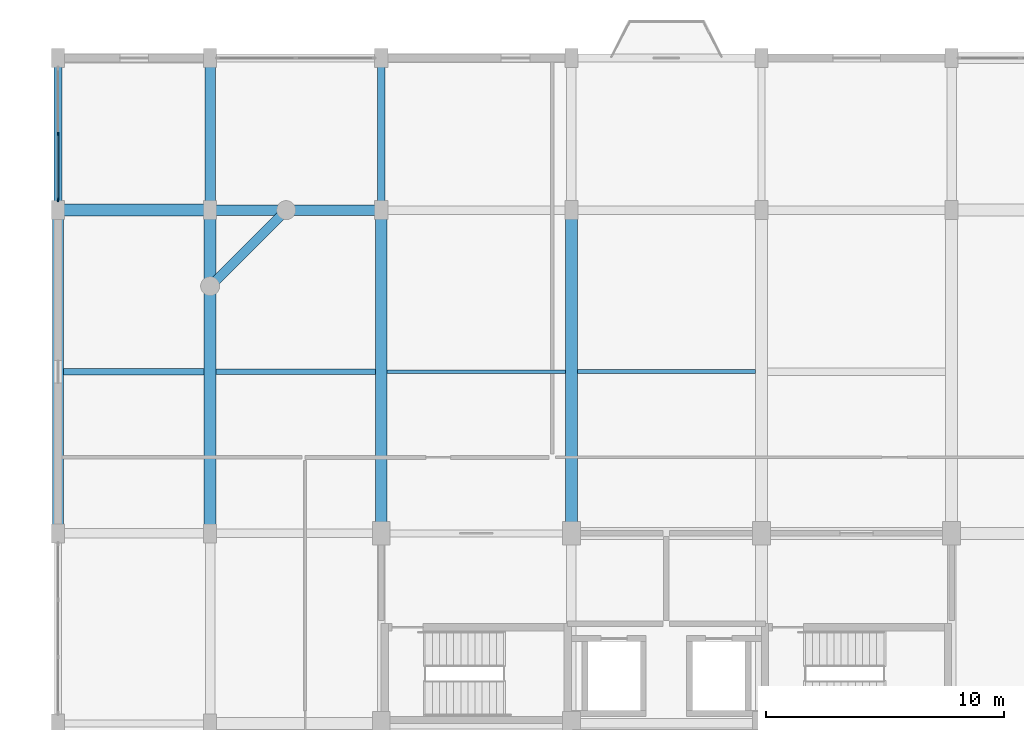
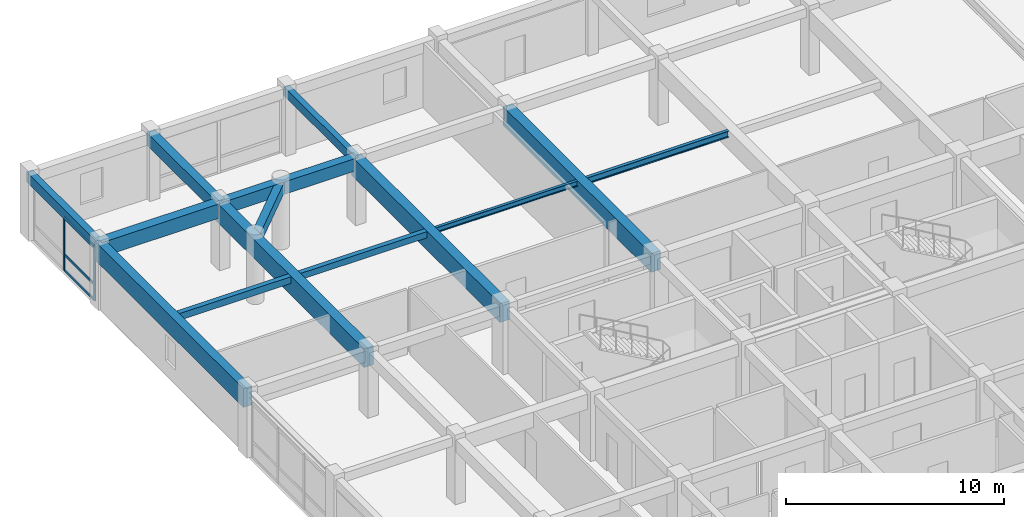
# One storey, part 6 of 15: 14 beams, 5 members, 1 element without a shape of its own.
"""IFC4 building model written with IfcOpenShell, lengths in metres."""

from ifc_helpers import new_model, si_unit, direction, frame, origin, origin_2d, place, context, subcontext, project, spatial, rectangle, i_section, extrude, material, material_profile, profile_set, type_object, element, aggregate, save


model = new_model("IFC4")

# Units and contexts
model_context = context("Model", 3, precision=1e-05, world=origin(), true_north=direction((0.0, 1.0)))
body_context = subcontext(model_context, "Body", "Model", "MODEL_VIEW")
ifc_project = project(units=[si_unit("LENGTHUNIT", "METRE"), si_unit("AREAUNIT", "SQUARE_METRE"), si_unit("VOLUMEUNIT", "CUBIC_METRE"), si_unit("PLANEANGLEUNIT", "RADIAN"), si_unit("MASSUNIT", "GRAM", prefix="KILO")], contexts=[model_context])

# Site, building, storey
site_placement = place(None, origin())
site = spatial("IfcSite", under=ifc_project, at=site_placement, CompositionType="ELEMENT")
building_placement = place(site_placement, origin())
building = spatial("IfcBuilding", under=site, at=building_placement, Name="Vellmiral Cinema and Media Centre", CompositionType="ELEMENT")
storey_placement = place(building_placement, frame((0.0, 0.0, 31.699951171875)))
storey = spatial("IfcBuildingStorey", under=building, at=storey_placement, Name="L07", CompositionType="ELEMENT", Elevation=31.699951171875)

# Beams
ifc_material_1 = material(Name="Concrete C40/50", Category="concrete")
ifc_material_profile_1 = material_profile(ifc_material_1, rectangle(XDim=0.300048828125, YDim=0.5, at=origin_2d()), Name="RC 300x500")
ifc_profile_set_1 = profile_set([ifc_material_profile_1], Name="Concrete C40/50")
beam_type_1 = type_object("IfcBeamType", Name="BM-RC-300x500", PredefinedType="BEAM", material=ifc_profile_set_1)
beam_1_placement = place(storey_placement, frame((124.0, 108.800048828125, 3.385009765625), z_axis=(0.0, 1.0, 0.0), x_axis=(-1.0, 0.0, 0.0)))
element("IfcBeam", 1, at=beam_1_placement, inside=storey, type_object=beam_type_1, Name="Grid Beam L07-Y066", PredefinedType="BEAM", context=body_context, shape_type="SweptSolid", body=[
    extrude(rectangle(XDim=0.300048828125, YDim=0.5, at=origin_2d()), origin(), (0.0, 0.0, 1.0), 6.39990234375),
])
ifc_material_2 = material(Name="Concrete C40/50", Category="concrete")
ifc_material_profile_2 = material_profile(ifc_material_2, rectangle(XDim=0.449951171875, YDim=0.699951171875, at=origin_2d()), Name="RC 450x700")
ifc_profile_set_2 = profile_set([ifc_material_profile_2], Name="Concrete C40/50")
beam_type_2 = type_object("IfcBeamType", Name="BM-RC-450x700", PredefinedType="BEAM", material=ifc_profile_set_2)
beam_2_placement = place(storey_placement, frame((116.800048828125, 108.800048828125, 3.28515625), z_axis=(1.0, 0.0, 0.0), x_axis=(0.0, 1.0, 0.0)))
element("IfcBeam", 2, at=beam_2_placement, inside=storey, type_object=beam_type_2, Name="Grid Beam L07-X037", PredefinedType="BEAM", context=body_context, shape_type="SweptSolid", body=[
    extrude(rectangle(XDim=0.449951171875, YDim=0.699951171875, at=origin_2d()), origin(), (0.0, 0.0, 1.0), 7.199951171875),
])
beam_3_placement = place(storey_placement, frame((116.800048828125, 108.800048828125, 3.28515625), z_axis=(0.0, 1.0, 0.0), x_axis=(-1.0, 0.0, 0.0)))
element("IfcBeam", 3, at=beam_3_placement, inside=storey, type_object=beam_type_2, Name="Grid Beam L07-Y060", PredefinedType="BEAM", context=body_context, shape_type="SweptSolid", body=[
    extrude(rectangle(XDim=0.449951171875, YDim=0.699951171875, at=origin_2d()), origin(), (0.0, 0.0, 1.0), 6.39990234375),
])
ifc_material_3 = material(Name="Concrete C40/50", Category="concrete")
ifc_material_profile_3 = material_profile(ifc_material_3, rectangle(XDim=0.5, YDim=0.800048828125, at=origin_2d()), Name="RC 500x800")
ifc_profile_set_3 = profile_set([ifc_material_profile_3], Name="Concrete C40/50")
beam_type_3 = type_object("IfcBeamType", Name="BM-RC-500x800", PredefinedType="BEAM", material=ifc_profile_set_3)
beam_4_placement = place(storey_placement, frame((110.39990234375, 108.800048828125, 3.235107421875), z_axis=(1.0, 0.0, 0.0), x_axis=(0.0, 1.0, 0.0)))
element("IfcBeam", 4, at=beam_4_placement, inside=storey, type_object=beam_type_3, Name="Grid Beam L07-X036", PredefinedType="BEAM", context=body_context, shape_type="SweptSolid", body=[
    extrude(rectangle(XDim=0.5, YDim=0.800048828125, at=origin_2d()), origin(), (0.0, 0.0, 1.0), 6.400146484375),
])
ifc_material_4 = material(Name="Concrete C40/50", Category="concrete")
ifc_material_profile_4 = material_profile(ifc_material_4, rectangle(XDim=0.5, YDim=1.050048828125, at=origin_2d()), Name="RC 500x1050")
ifc_profile_set_4 = profile_set([ifc_material_profile_4], Name="Concrete C40/50")
beam_type_4 = type_object("IfcBeamType", Name="BM-RCG-500x1050", PredefinedType="BEAM", material=ifc_profile_set_4)
for number, where, z_axis, x_axis, name in (
    (5, (116.800048828125, 95.199951171875, 3.110107421875), (0.0, 1.0, 0.0), (-1.0, 0.0, 0.0), "Grid Beam L07-Y059"),
    (6, (124.0, 95.199951171875, 3.110107421875), (0.0, 1.0, 0.0), (-1.0, 0.0, 0.0), "Grid Beam L07-Y065"),
    (7, (132.0, 95.199951171875, 3.110107421875), (0.0, 1.0, 0.0), (-1.0, 0.0, 0.0), "Grid Beam L07-Y071"),
):
    element("IfcBeam", number, at=place(storey_placement, frame(where, z_axis=z_axis, x_axis=x_axis)), inside=storey, type_object=beam_type_4, Name=name, PredefinedType="BEAM", context=body_context, shape_type="SweptSolid", body=[
        extrude(rectangle(XDim=0.5, YDim=1.050048828125, at=origin_2d()), origin(), (0.0, 0.0, 1.0), 13.60009765625),
    ])

# Curtain wall, members
ifc_material_5 = material(Name="Thermally Broken Aluminium and Triple Glazing", Category="aluminium")
curtain_wall_type = type_object("IfcCurtainWallType", Name="CW-TOWER-LOW-N", PredefinedType="USERDEFINED", material=ifc_material_5)
curtain_wall_placement = place(storey_placement, origin())
curtain_wall = element("IfcCurtainWall", 8, at=curtain_wall_placement, inside=storey, type_object=curtain_wall_type, Name="Curtain Wall L07-B024", ObjectType="UNITISED CURTAIN WALL", PredefinedType="USERDEFINED")
ifc_material_6 = material(Name="Thermally Broken Anodised Aluminium", Category="aluminium")
ifc_material_profile_5 = material_profile(ifc_material_6, rectangle(XDim=0.06494140625, YDim=0.159912109375, at=origin_2d()), Name="MULL 65x160")
ifc_profile_set_5 = profile_set([ifc_material_profile_5], Name="Thermally Broken Anodised Aluminium")
member_type_1 = type_object("IfcMemberType", Name="CWM-65x160", PredefinedType="MULLION", material=ifc_profile_set_5)
member_1_placement = place(storey_placement, frame((110.39990234375, 112.0, 0.0), z_axis=(0.0, 0.0, 1.0), x_axis=(1.0, 0.0, 0.0)))
member_1 = element("IfcMember", 9, at=member_1_placement, type_object=member_type_1, Name="CW-05 mullion 2", PredefinedType="MULLION", context=body_context, shape_type="SweptSolid", body=[
    extrude(rectangle(XDim=0.06494140625, YDim=0.159912109375, at=origin_2d()), origin(), (0.0, 0.0, 1.0), 3.0400390625),
])
member_2_placement = place(storey_placement, frame((110.39990234375, 109.232421875, 0.0), z_axis=(0.0, 0.0, 1.0), x_axis=(1.0, 0.0, 0.0)))
member_2 = element("IfcMember", 10, at=member_2_placement, type_object=member_type_1, Name="CW-05 mullion 3", PredefinedType="MULLION", context=body_context, shape_type="SweptSolid", body=[
    extrude(rectangle(XDim=0.06494140625, YDim=0.159912109375, at=origin_2d()), origin(), (0.0, 0.0, 1.0), 3.0400390625),
])
ifc_material_7 = material(Name="Thermally Broken Anodised Aluminium", Category="aluminium")
ifc_material_profile_6 = material_profile(ifc_material_7, rectangle(XDim=0.06494140625, YDim=0.135009765625, at=origin_2d()), Name="MULL 65x135")
ifc_profile_set_6 = profile_set([ifc_material_profile_6], Name="Thermally Broken Anodised Aluminium")
member_type_2 = type_object("IfcMemberType", Name="CWT-65x135", PredefinedType="USERDEFINED", material=ifc_profile_set_6)
member_3_placement = place(storey_placement, frame((110.39990234375, 111.967529296875, 0.032470703125), z_axis=(0.0, -1.0, 0.0), x_axis=(1.0, 0.0, 0.0)))
member_3 = element("IfcMember", 11, at=member_3_placement, type_object=member_type_2, Name="CW-05 transom 2.1", ObjectType="TRANSOM", PredefinedType="USERDEFINED", context=body_context, shape_type="SweptSolid", body=[
    extrude(rectangle(XDim=0.06494140625, YDim=0.135009765625, at=origin_2d()), origin(), (0.0, 0.0, 1.0), 2.70263671875),
])
member_4_placement = place(storey_placement, frame((110.39990234375, 111.967529296875, 0.900146484375), z_axis=(0.0, -1.0, 0.0), x_axis=(1.0, 0.0, 0.0)))
member_4 = element("IfcMember", 12, at=member_4_placement, type_object=member_type_2, Name="CW-05 transom 2.2", ObjectType="TRANSOM", PredefinedType="USERDEFINED", context=body_context, shape_type="SweptSolid", body=[
    extrude(rectangle(XDim=0.06494140625, YDim=0.135009765625, at=origin_2d()), origin(), (0.0, 0.0, 1.0), 2.70263671875),
])
member_5_placement = place(storey_placement, frame((110.39990234375, 111.967529296875, 3.007568359375), z_axis=(0.0, -1.0, 0.0), x_axis=(1.0, 0.0, 0.0)))
member_5 = element("IfcMember", 13, at=member_5_placement, type_object=member_type_2, Name="CW-05 transom 2.3", ObjectType="TRANSOM", PredefinedType="USERDEFINED", context=body_context, shape_type="SweptSolid", body=[
    extrude(rectangle(XDim=0.06494140625, YDim=0.135009765625, at=origin_2d()), origin(), (0.0, 0.0, 1.0), 2.70263671875),
])
aggregate(curtain_wall, [member_1, member_2, member_3, member_4, member_5])

# Beams
ifc_material_8 = material(Name="Concrete C40/50", Category="concrete")
ifc_material_profile_7 = material_profile(ifc_material_8, rectangle(XDim=0.25, YDim=0.35009765625, at=origin_2d()), Name="RC 250x350")
ifc_profile_set_7 = profile_set([ifc_material_profile_7], Name="Concrete C40/50")
beam_type_5 = type_object("IfcBeamType", Name="JST-RC-250x350", PredefinedType="JOIST", material=ifc_profile_set_7)
beam_5_placement = place(storey_placement, frame((117.050048828125, 102.0, 3.4599609375), z_axis=(1.0, 0.0, 0.0), x_axis=(0.0, 1.0, 0.0)))
element("IfcBeam", 14, at=beam_5_placement, inside=storey, type_object=beam_type_5, Name="Secondary Floor Joist L07-002", PredefinedType="JOIST", context=body_context, shape_type="SweptSolid", body=[
    extrude(rectangle(XDim=0.25, YDim=0.35009765625, at=origin_2d()), origin(), (0.0, 0.0, 1.0), 6.699951171875),
])
ifc_material_9 = material(Name="Concrete C40/50", Category="concrete")
ifc_material_profile_8 = material_profile(ifc_material_9, rectangle(XDim=0.260009765625, YDim=0.3798828125, at=origin_2d()), Name="RC 260x380")
ifc_profile_set_8 = profile_set([ifc_material_profile_8], Name="Concrete C40/50")
beam_type_6 = type_object("IfcBeamType", Name="JST-RC-260x380", PredefinedType="JOIST", material=ifc_profile_set_8)
beam_6_placement = place(storey_placement, frame((110.625, 102.0, 3.445068359375), z_axis=(1.0, 0.0, 0.0), x_axis=(0.0, 1.0, 0.0)))
element("IfcBeam", 15, at=beam_6_placement, inside=storey, type_object=beam_type_6, Name="Secondary Floor Joist L07-001", PredefinedType="JOIST", context=body_context, shape_type="SweptSolid", body=[
    extrude(rectangle(XDim=0.260009765625, YDim=0.3798828125, at=origin_2d()), origin(), (0.0, 0.0, 1.0), 5.925048828125),
])
ifc_material_10 = material(Name="Steel S355", Category="steel")
ifc_material_profile_9 = material_profile(ifc_material_10, i_section(OverallWidth=0.14990234375, OverallDepth=0.300048828125, WebThickness=0.007080078125, FlangeThickness=0.0107421875, FilletRadius=0.014892578125, at=origin_2d()), Name="IPE 300")
ifc_profile_set_9 = profile_set([ifc_material_profile_9], Name="Steel S355")
beam_type_7 = type_object("IfcBeamType", Name="SBM-IPE300", PredefinedType="JOIST", material=ifc_profile_set_9)
beam_7_placement = place(storey_placement, frame((124.25, 102.0, 3.485107421875), z_axis=(1.0, 0.0, 0.0), x_axis=(0.0, 1.0, 0.0)))
element("IfcBeam", 16, at=beam_7_placement, inside=storey, type_object=beam_type_7, Name="Secondary Floor Joist L07-003", PredefinedType="JOIST", context=body_context, shape_type="SweptSolid", body=[
    extrude(i_section(OverallWidth=0.14990234375, OverallDepth=0.300048828125, WebThickness=0.007080078125, FlangeThickness=0.0107421875, FilletRadius=0.014892578125, at=origin_2d()), origin(), (0.0, 0.0, 1.0), 7.5),
])
ifc_material_11 = material(Name="Steel S355", Category="steel")
ifc_material_profile_10 = material_profile(ifc_material_11, i_section(OverallWidth=0.169921875, OverallDepth=0.360107421875, WebThickness=0.008056640625, FlangeThickness=0.0126953125, FilletRadius=0.01806640625, at=origin_2d()), Name="IPE 360")
ifc_profile_set_10 = profile_set([ifc_material_profile_10], Name="Steel S355")
beam_type_8 = type_object("IfcBeamType", Name="SBM-IPE360", PredefinedType="JOIST", material=ifc_profile_set_10)
beam_8_placement = place(storey_placement, frame((132.25, 102.0, 3.455078125), z_axis=(1.0, 0.0, 0.0), x_axis=(0.0, 1.0, 0.0)))
element("IfcBeam", 17, at=beam_8_placement, inside=storey, type_object=beam_type_8, Name="Secondary Floor Joist L07-004", PredefinedType="JOIST", context=body_context, shape_type="SweptSolid", body=[
    extrude(i_section(OverallWidth=0.169921875, OverallDepth=0.360107421875, WebThickness=0.008056640625, FlangeThickness=0.0126953125, FilletRadius=0.01806640625, at=origin_2d()), origin(), (0.0, 0.0, 1.0), 7.5),
])
ifc_material_12 = material(Name="Concrete C40/50", Category="concrete")
ifc_material_profile_11 = material_profile(ifc_material_12, rectangle(XDim=0.35009765625, YDim=0.56005859375, at=origin_2d()), Name="RC 350x560")
ifc_profile_set_11 = profile_set([ifc_material_profile_11], Name="Concrete C40/50")
beam_type_9 = type_object("IfcBeamType", Name="SPD-RC-350x560", PredefinedType="SPANDREL", material=ifc_profile_set_11)
beam_9_placement = place(storey_placement, frame((110.39990234375, 108.800048828125, 3.35498046875), z_axis=(0.0, 1.0, 0.0), x_axis=(-1.0, 0.0, 0.0)))
element("IfcBeam", 18, at=beam_9_placement, inside=storey, type_object=beam_type_9, Name="Grid Beam L07-Y054", PredefinedType="SPANDREL", context=body_context, shape_type="SweptSolid", body=[
    extrude(rectangle(XDim=0.35009765625, YDim=0.56005859375, at=origin_2d()), origin(), (0.0, 0.0, 1.0), 6.39990234375),
])
ifc_material_13 = material(Name="Concrete C40/50", Category="concrete")
ifc_material_profile_12 = material_profile(ifc_material_13, rectangle(XDim=0.39990234375, YDim=0.60009765625, at=origin_2d()), Name="RC 400x600")
ifc_profile_set_12 = profile_set([ifc_material_profile_12], Name="Concrete C40/50")
beam_type_10 = type_object("IfcBeamType", Name="SPD-RC-400x600", PredefinedType="SPANDREL", material=ifc_profile_set_12)
beam_10_placement = place(storey_placement, frame((116.800048828125, 105.60009765625, 3.3349609375), z_axis=(0.707106781187, 0.707106781187, 0.0), x_axis=(-0.707106781187, 0.707106781187, 0.0)))
element("IfcBeam", 19, at=beam_10_placement, inside=storey, type_object=beam_type_10, Name="Xamfra Chamfer Spandrel Beam L07-097", PredefinedType="SPANDREL", context=body_context, shape_type="SweptSolid", body=[
    extrude(rectangle(XDim=0.39990234375, YDim=0.60009765625, at=origin_2d()), origin(), (0.0, 0.0, 1.0), 4.525390625),
])
ifc_material_14 = material(Name="Concrete C40/50", Category="concrete")
ifc_material_profile_13 = material_profile(ifc_material_14, rectangle(XDim=0.449951171875, YDim=1.050048828125, at=origin_2d()), Name="RC 450x1050")
ifc_profile_set_13 = profile_set([ifc_material_profile_13], Name="Concrete C40/50")
beam_type_11 = type_object("IfcBeamType", Name="SPD-RCG-450x1050", PredefinedType="SPANDREL", material=ifc_profile_set_13)
beam_11_placement = place(storey_placement, frame((110.39990234375, 95.199951171875, 3.110107421875), z_axis=(0.0, 1.0, 0.0), x_axis=(-1.0, 0.0, 0.0)))
element("IfcBeam", 20, at=beam_11_placement, inside=storey, type_object=beam_type_11, Name="Grid Beam L07-Y053", PredefinedType="SPANDREL", context=body_context, shape_type="SweptSolid", body=[
    extrude(rectangle(XDim=0.449951171875, YDim=1.050048828125, at=origin_2d()), origin(), (0.0, 0.0, 1.0), 13.60009765625),
])

save(model, "model.ifc")
